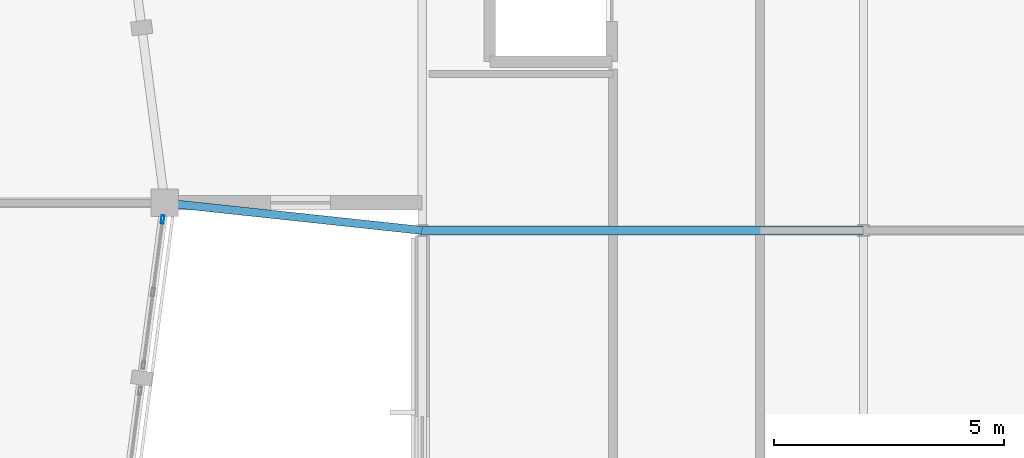
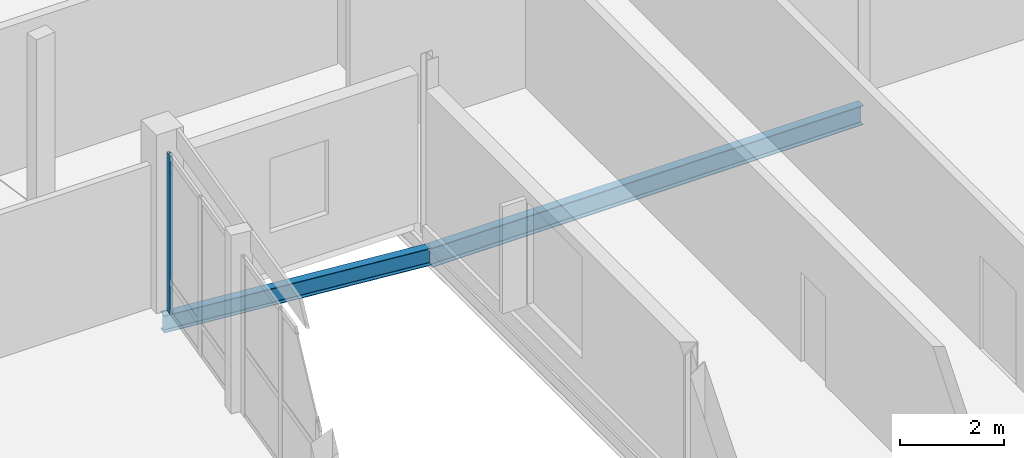
# One storey, part 108 of 170: 2 beams, 1 member, 1 element without a shape of its own.
"""IFC4 building model written with IfcOpenShell, lengths in metres."""

from ifc_helpers import new_model, si_unit, direction, frame, origin, origin_2d, place, context, subcontext, project, spatial, hollow_rectangle, i_section, extrude, material, material_profile, profile_set, type_object, element, aggregate, save


model = new_model("IFC4")

# Units and contexts
model_context = context("Model", 3, precision=1e-05, world=origin(), true_north=direction((0.0, 1.0)))
body_context = subcontext(model_context, "Body", "Model", "MODEL_VIEW")
ifc_project = project(units=[si_unit("LENGTHUNIT", "METRE"), si_unit("AREAUNIT", "SQUARE_METRE"), si_unit("VOLUMEUNIT", "CUBIC_METRE"), si_unit("PLANEANGLEUNIT", "RADIAN"), si_unit("MASSUNIT", "GRAM", prefix="KILO")], contexts=[model_context])

# Site, building, storey
site_placement = place(None, origin())
site = spatial("IfcSite", under=ifc_project, at=site_placement, CompositionType="ELEMENT")
building_placement = place(site_placement, origin())
building = spatial("IfcBuilding", under=site, at=building_placement, Name="Vondelvale Polytechnic", CompositionType="ELEMENT")
storey_placement = place(building_placement, frame((0.0, 0.0, 5.39990234375)))
storey = spatial("IfcBuildingStorey", under=building, at=storey_placement, Name="L01", CompositionType="ELEMENT", Elevation=5.39990234375)

# Beams
ifc_material_1 = material(Name="Steel 300PLUS (fy = 300 MPa)", Category="steel")
ifc_material_profile_1 = material_profile(ifc_material_1, i_section(OverallWidth=0.177978515625, OverallDepth=0.406005859375, WebThickness=0.0078125, FlangeThickness=0.0126953125, FilletRadius=0.011474609375, at=origin_2d()), Name="410UB59.7")
ifc_profile_set_1 = profile_set([ifc_material_profile_1], Name="Steel 300PLUS (fy = 300 MPa)")
beam_type_1 = type_object("IfcBeamType", Name="BM-UB410", PredefinedType="BEAM", material=ifc_profile_set_1)
beam_1_placement = place(storey_placement, frame((148.0, 72.0, -0.48291015625), z_axis=(0.994307513918, -0.10654842921, 0.0), x_axis=(0.10654842921, 0.994307513918, 0.0)))
element("IfcBeam", 1, at=beam_1_placement, inside=storey, type_object=beam_type_1, Name="L01 B B-14", PredefinedType="BEAM", context=body_context, shape_type="SweptSolid", body=[
    extrude(i_section(OverallWidth=0.177978515625, OverallDepth=0.406005859375, WebThickness=0.0078125, FlangeThickness=0.0126953125, FilletRadius=0.011474609375, at=origin_2d()), origin(), (0.0, 0.0, 1.0), 5.632080078125),
])
ifc_material_profile_2 = material_profile(ifc_material_1, i_section(OverallWidth=0.19091796875, OverallDepth=0.4599609375, WebThickness=0.010009765625, FlangeThickness=0.01611328125, FilletRadius=0.011474609375, at=origin_2d()), Name="460UB82.1")
ifc_profile_set_2 = profile_set([ifc_material_profile_2], Name="Steel 300PLUS (fy = 300 MPa)")
beam_type_2 = type_object("IfcBeamType", Name="BM-UB460H", PredefinedType="BEAM", material=ifc_profile_set_2)
beam_2_placement = place(storey_placement, frame((153.60009765625, 71.39990234375, -0.510009765625), z_axis=(1.0, 0.0, 0.0), x_axis=(0.0, 1.0, 0.0)))
element("IfcBeam", 2, at=beam_2_placement, inside=storey, type_object=beam_type_2, Name="L01 B B-12", PredefinedType="BEAM", context=body_context, shape_type="SweptSolid", body=[
    extrude(i_section(OverallWidth=0.19091796875, OverallDepth=0.4599609375, WebThickness=0.010009765625, FlangeThickness=0.01611328125, FilletRadius=0.011474609375, at=origin_2d()), origin(), (0.0, 0.0, 1.0), 9.599853515625),
])

# Curtain wall, member
ifc_material_2 = material(Name="Glulam GL18 structural Tasmanian oak (fb = 42 MPa)", Category="wood")
curtain_wall_type = type_object("IfcCurtainWallType", Name="CW-RING-OUTER", PredefinedType="NOTDEFINED", material=ifc_material_2)
curtain_wall_placement = place(storey_placement, origin())
curtain_wall = element("IfcCurtainWall", 3, at=curtain_wall_placement, inside=storey, type_object=curtain_wall_type, Name="L01 architectural curtain wall CW-04-377", PredefinedType="NOTDEFINED")
ifc_material_3 = material(Name="Anodised extruded aluminium 6063-T6", Category="aluminium")
ifc_material_profile_3 = material_profile(ifc_material_3, hollow_rectangle(XDim=0.06494140625, YDim=0.179931640625, WallThickness=0.00390625, at=origin_2d()), Name="CW-MUL-180x65")
ifc_profile_set_3 = profile_set([ifc_material_profile_3], Name="Anodised extruded aluminium 6063-T6")
member_type = type_object("IfcMemberType", Name="CW-MUL-65x180", PredefinedType="MULLION", material=ifc_profile_set_3)
member_placement = place(storey_placement, frame((147.952392578125, 71.637939453125, 0.0), z_axis=(0.0, 0.0, 1.0), x_axis=(-0.991443102996, 0.130539547729, 0.0)))
member = element("IfcMember", 4, at=member_placement, type_object=member_type, Name="CW-04-377 mullion 3", PredefinedType="MULLION", context=body_context, shape_type="SweptSolid", body=[
    extrude(hollow_rectangle(XDim=0.06494140625, YDim=0.179931640625, WallThickness=0.00390625, at=origin_2d()), origin(), (0.0, 0.0, 1.0), 3.72021484375),
])
aggregate(curtain_wall, [member])

save(model, "model.ifc")
